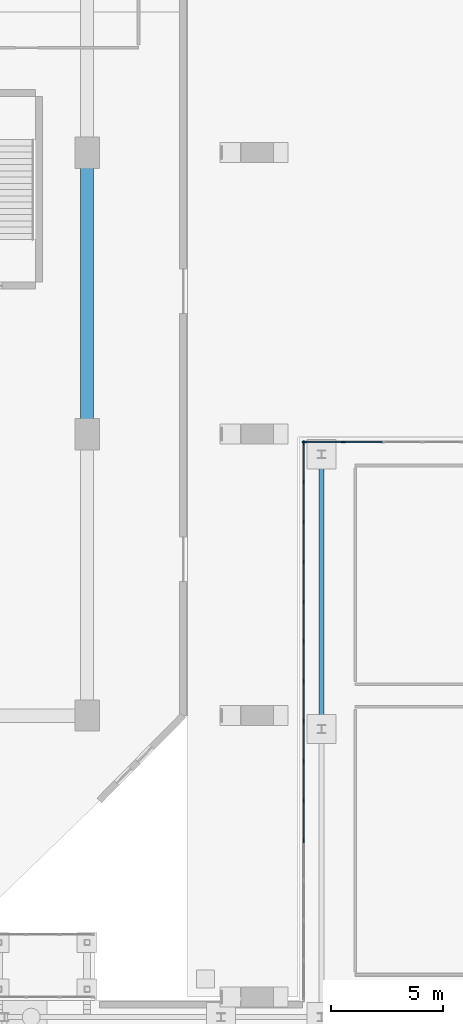
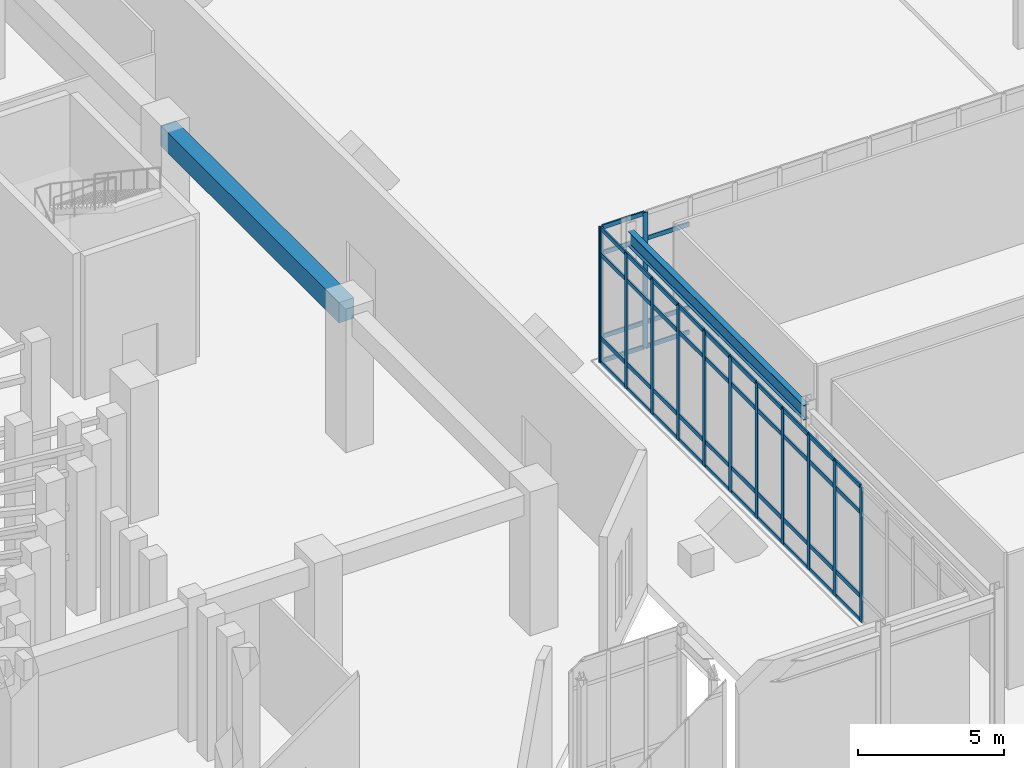
# One storey, part 38 of 143: 60 members, 2 beams, 2 elements without a shape of their own.
"""IFC4 building model written with IfcOpenShell, lengths in metres."""

from ifc_helpers import new_model, si_unit, derived_unit, direction, frame, origin, origin_2d, place, context, subcontext, project, spatial, rectangle, i_section, extrude, material, layer, layer_set, material_profile, profile_set, type_object, element, aggregate, save


model = new_model("IFC4")

# Units and contexts
model_context = context("Model", 3, precision=1e-05, world=origin(), true_north=direction((0.0, 1.0)))
body_context = subcontext(model_context, "Body", "Model", "MODEL_VIEW")
ifc_project = project(units=[si_unit("LENGTHUNIT", "METRE"), si_unit("AREAUNIT", "SQUARE_METRE"), si_unit("VOLUMEUNIT", "CUBIC_METRE"), si_unit("PLANEANGLEUNIT", "RADIAN"), si_unit("MASSUNIT", "GRAM", prefix="KILO"), derived_unit("THERMALTRANSMITTANCEUNIT", [(si_unit("MASSUNIT", "GRAM", prefix="KILO"), 1), (si_unit("TIMEUNIT", "SECOND"), -3), (si_unit("THERMODYNAMICTEMPERATUREUNIT", "KELVIN"), -1)])], contexts=[model_context])

# Site, building, storey
site_placement = place(None, origin())
site = spatial("IfcSite", under=ifc_project, at=site_placement, CompositionType="ELEMENT")
building_placement = place(site_placement, origin())
building = spatial("IfcBuilding", under=site, at=building_placement, Name="Valcora Ridge Arena", CompositionType="ELEMENT")
storey_placement = place(building_placement, origin())
storey = spatial("IfcBuildingStorey", under=building, at=storey_placement, Name="L00", CompositionType="ELEMENT", Elevation=0.0)

# Beams
ifc_material_1 = material(Name="Concrete C40/50", Category="concrete")
ifc_material_profile_1 = material_profile(ifc_material_1, rectangle(XDim=0.60009765625, YDim=0.85009765625, at=origin_2d()), Name="RC 600x850")
ifc_profile_set_1 = profile_set([ifc_material_profile_1], Name="Concrete C40/50")
beam_type_1 = type_object("IfcBeamType", Name="TY-BEAM-B-RC600-Y", PredefinedType="BEAM", material=ifc_profile_set_1)
beam_1_placement = place(storey_placement, frame((102.5, 45.39990234375, 5.215087890625), z_axis=(0.0, 1.0, 0.0), x_axis=(-1.0, 0.0, 0.0)))
element("IfcBeam", 1, at=beam_1_placement, inside=storey, type_object=beam_type_1, Name="B-RC600-Y BEM-B-RC600-Y-0007", PredefinedType="BEAM", context=body_context, shape_type="SweptSolid", body=[
    extrude(rectangle(XDim=0.60009765625, YDim=0.85009765625, at=origin_2d()), origin(), (0.0, 0.0, 1.0), 12.2001953125),
])
ifc_material_2 = material(Name="Steel ASTM A572 Grade 50", Category="steel")
ifc_material_profile_2 = material_profile(ifc_material_2, i_section(OverallWidth=0.22900390625, OverallDepth=0.612060546875, WebThickness=0.011962890625, FlangeThickness=0.01953125, FilletRadius=0.01806640625, at=origin_2d()), Name="W24X84")
ifc_profile_set_2 = profile_set([ifc_material_profile_2], Name="Steel ASTM A572 Grade 50")
beam_type_2 = type_object("IfcBeamType", Name="TY-BEAM-G-W24X84-Y", PredefinedType="BEAM", material=ifc_profile_set_2)
beam_2_placement = place(storey_placement, frame((113.0, 32.139892578125, 5.333984375), z_axis=(0.0, 1.0, 0.0), x_axis=(-1.0, 0.0, 0.0)))
element("IfcBeam", 2, at=beam_2_placement, inside=storey, type_object=beam_type_2, Name="G-W24X84-Y BEM-G-W24X84-Y-0004", PredefinedType="BEAM", context=body_context, shape_type="SweptSolid", body=[
    extrude(i_section(OverallWidth=0.22900390625, OverallDepth=0.612060546875, WebThickness=0.011962890625, FlangeThickness=0.01953125, FilletRadius=0.01806640625, at=origin_2d()), origin(), (0.0, 0.0, 1.0), 12.02001953125),
])

# Curtain wall, members
ifc_material_3 = material(Name="Anodised dark bronze architectural aluminium 6063-T6", Category="aluminium")
ifc_layer_1 = layer(ifc_material_3, 0.179931640625, Name="Anodised dark bronze architectural aluminium 6063-T6")
ifc_layer_set_1 = layer_set([ifc_layer_1], Name="Anodised dark bronze architectural aluminium 6063-T6")
curtain_wall_type_1 = type_object("IfcCurtainWallType", Name="TY-CURTAINWALL-CW-V3-LANCET-194X56", PredefinedType="NOTDEFINED", material=ifc_layer_set_1)
curtain_wall_1_placement = place(storey_placement, origin())
curtain_wall_1 = element("IfcCurtainWall", 3, at=curtain_wall_1_placement, inside=storey, type_object=curtain_wall_type_1, Name="CW-V3-LANCET-194X56 CW-0007", PredefinedType="NOTDEFINED")
ifc_material_profile_3 = material_profile(ifc_material_3, rectangle(XDim=0.06005859375, YDim=0.179931640625, at=origin_2d()), Name="ALU MULLION 60x180")
ifc_profile_set_3 = profile_set([ifc_material_profile_3], Name="Anodised dark bronze architectural aluminium 6063-T6")
member_type_1 = type_object("IfcMemberType", Name="TY-MEM-CWM-60x180", PredefinedType="MULLION", material=ifc_profile_set_3)
member_1_placement = place(storey_placement, frame((112.22998046875, 44.85009765625, 0.0), z_axis=(0.0, 0.0, 1.0), x_axis=(0.0, 1.0, 0.0)))
member_1 = element("IfcMember", 4, at=member_1_placement, type_object=member_type_1, Name="CW-0007/CWM-60x180/M00", PredefinedType="MULLION", context=body_context, shape_type="SweptSolid", body=[
    extrude(rectangle(XDim=0.06005859375, YDim=0.179931640625, at=origin_2d()), origin(), (0.0, 0.0, 1.0), 5.639892578125),
])
member_2_placement = place(storey_placement, frame((113.96826171875, 44.85009765625, 0.0), z_axis=(0.0, 0.0, 1.0), x_axis=(0.0, 1.0, 0.0)))
member_2 = element("IfcMember", 5, at=member_2_placement, type_object=member_type_1, Name="CW-0007/CWM-60x180/M01", PredefinedType="MULLION", context=body_context, shape_type="SweptSolid", body=[
    extrude(rectangle(XDim=0.06005859375, YDim=0.179931640625, at=origin_2d()), origin(), (0.0, 0.0, 1.0), 5.639892578125),
])

ifc_layer_2 = layer(ifc_material_3, 0.179931640625, Name="Anodised dark bronze architectural aluminium 6063-T6")
ifc_layer_set_2 = layer_set([ifc_layer_2], Name="Anodised dark bronze architectural aluminium 6063-T6")
curtain_wall_type_2 = type_object("IfcCurtainWallType", Name="TY-CURTAINWALL-CW-V3-LANCET-250X56", PredefinedType="NOTDEFINED", material=ifc_layer_set_2)
curtain_wall_2_placement = place(storey_placement, origin())
curtain_wall_2 = element("IfcCurtainWall", 6, at=curtain_wall_2_placement, inside=storey, type_object=curtain_wall_type_2, Name="CW-V3-LANCET-250X56 CW-0008", PredefinedType="NOTDEFINED")
member_3_placement = place(storey_placement, frame((112.199951171875, 26.992919921875, 0.0), z_axis=(0.0, 0.0, 1.0), x_axis=(-1.0, 0.0, 0.0)))
member_3 = element("IfcMember", 7, at=member_3_placement, type_object=member_type_1, Name="CW-0008/CWM-60x180/M04", PredefinedType="MULLION", context=body_context, shape_type="SweptSolid", body=[
    extrude(rectangle(XDim=0.06005859375, YDim=0.179931640625, at=origin_2d()), origin(), (0.0, 0.0, 1.0), 5.639892578125),
])
member_4_placement = place(storey_placement, frame((112.199951171875, 28.778564453125, 0.0), z_axis=(0.0, 0.0, 1.0), x_axis=(-1.0, 0.0, 0.0)))
member_4 = element("IfcMember", 8, at=member_4_placement, type_object=member_type_1, Name="CW-0008/CWM-60x180/M05", PredefinedType="MULLION", context=body_context, shape_type="SweptSolid", body=[
    extrude(rectangle(XDim=0.06005859375, YDim=0.179931640625, at=origin_2d()), origin(), (0.0, 0.0, 1.0), 5.639892578125),
])
member_5_placement = place(storey_placement, frame((112.199951171875, 30.564208984375, 0.0), z_axis=(0.0, 0.0, 1.0), x_axis=(-1.0, 0.0, 0.0)))
member_5 = element("IfcMember", 9, at=member_5_placement, type_object=member_type_1, Name="CW-0008/CWM-60x180/M06", PredefinedType="MULLION", context=body_context, shape_type="SweptSolid", body=[
    extrude(rectangle(XDim=0.06005859375, YDim=0.179931640625, at=origin_2d()), origin(), (0.0, 0.0, 1.0), 5.639892578125),
])
member_6_placement = place(storey_placement, frame((112.199951171875, 32.35009765625, 0.0), z_axis=(0.0, 0.0, 1.0), x_axis=(-1.0, 0.0, 0.0)))
member_6 = element("IfcMember", 10, at=member_6_placement, type_object=member_type_1, Name="CW-0008/CWM-60x180/M07", PredefinedType="MULLION", context=body_context, shape_type="SweptSolid", body=[
    extrude(rectangle(XDim=0.06005859375, YDim=0.179931640625, at=origin_2d()), origin(), (0.0, 0.0, 1.0), 5.639892578125),
])
member_7_placement = place(storey_placement, frame((112.199951171875, 34.1357421875, 0.0), z_axis=(0.0, 0.0, 1.0), x_axis=(-1.0, 0.0, 0.0)))
member_7 = element("IfcMember", 11, at=member_7_placement, type_object=member_type_1, Name="CW-0008/CWM-60x180/M08", PredefinedType="MULLION", context=body_context, shape_type="SweptSolid", body=[
    extrude(rectangle(XDim=0.06005859375, YDim=0.179931640625, at=origin_2d()), origin(), (0.0, 0.0, 1.0), 5.639892578125),
])
member_8_placement = place(storey_placement, frame((112.199951171875, 35.92138671875, 0.0), z_axis=(0.0, 0.0, 1.0), x_axis=(-1.0, 0.0, 0.0)))
member_8 = element("IfcMember", 12, at=member_8_placement, type_object=member_type_1, Name="CW-0008/CWM-60x180/M09", PredefinedType="MULLION", context=body_context, shape_type="SweptSolid", body=[
    extrude(rectangle(XDim=0.06005859375, YDim=0.179931640625, at=origin_2d()), origin(), (0.0, 0.0, 1.0), 5.639892578125),
])
member_9_placement = place(storey_placement, frame((112.199951171875, 37.70703125, 0.0), z_axis=(0.0, 0.0, 1.0), x_axis=(-1.0, 0.0, 0.0)))
member_9 = element("IfcMember", 13, at=member_9_placement, type_object=member_type_1, Name="CW-0008/CWM-60x180/M10", PredefinedType="MULLION", context=body_context, shape_type="SweptSolid", body=[
    extrude(rectangle(XDim=0.06005859375, YDim=0.179931640625, at=origin_2d()), origin(), (0.0, 0.0, 1.0), 5.639892578125),
])
member_10_placement = place(storey_placement, frame((112.199951171875, 39.492919921875, 0.0), z_axis=(0.0, 0.0, 1.0), x_axis=(-1.0, 0.0, 0.0)))
member_10 = element("IfcMember", 14, at=member_10_placement, type_object=member_type_1, Name="CW-0008/CWM-60x180/M11", PredefinedType="MULLION", context=body_context, shape_type="SweptSolid", body=[
    extrude(rectangle(XDim=0.06005859375, YDim=0.179931640625, at=origin_2d()), origin(), (0.0, 0.0, 1.0), 5.639892578125),
])
member_11_placement = place(storey_placement, frame((112.199951171875, 41.278564453125, 0.0), z_axis=(0.0, 0.0, 1.0), x_axis=(-1.0, 0.0, 0.0)))
member_11 = element("IfcMember", 15, at=member_11_placement, type_object=member_type_1, Name="CW-0008/CWM-60x180/M12", PredefinedType="MULLION", context=body_context, shape_type="SweptSolid", body=[
    extrude(rectangle(XDim=0.06005859375, YDim=0.179931640625, at=origin_2d()), origin(), (0.0, 0.0, 1.0), 5.639892578125),
])
member_12_placement = place(storey_placement, frame((112.199951171875, 43.064208984375, 0.0), z_axis=(0.0, 0.0, 1.0), x_axis=(-1.0, 0.0, 0.0)))
member_12 = element("IfcMember", 16, at=member_12_placement, type_object=member_type_1, Name="CW-0008/CWM-60x180/M13", PredefinedType="MULLION", context=body_context, shape_type="SweptSolid", body=[
    extrude(rectangle(XDim=0.06005859375, YDim=0.179931640625, at=origin_2d()), origin(), (0.0, 0.0, 1.0), 5.639892578125),
])
member_13_placement = place(storey_placement, frame((112.199951171875, 44.820068359375, 0.0), z_axis=(0.0, 0.0, 1.0), x_axis=(-1.0, 0.0, 0.0)))
member_13 = element("IfcMember", 17, at=member_13_placement, type_object=member_type_1, Name="CW-0008/CWM-60x180/M14", PredefinedType="MULLION", context=body_context, shape_type="SweptSolid", body=[
    extrude(rectangle(XDim=0.06005859375, YDim=0.179931640625, at=origin_2d()), origin(), (0.0, 0.0, 1.0), 5.639892578125),
])

# Member
ifc_material_profile_4 = material_profile(ifc_material_3, rectangle(XDim=0.06005859375, YDim=0.179931640625, at=origin_2d()), Name="ALU TRANSOM 60x180")
ifc_profile_set_4 = profile_set([ifc_material_profile_4], Name="Anodised dark bronze architectural aluminium 6063-T6")
member_type_2 = type_object("IfcMemberType", Name="TY-MEM-CWT-60x180", PredefinedType="USERDEFINED", material=ifc_profile_set_4)
member_14_placement = place(storey_placement, frame((112.260009765625, 44.85009765625, 0.030029296875), z_axis=(1.0, 0.0, 0.0), x_axis=(0.0, 1.0, 0.0)))
member_14 = element("IfcMember", 18, at=member_14_placement, type_object=member_type_2, Name="CW-0007/CWT-60x180/T00-00", ObjectType="TRANSOM", PredefinedType="USERDEFINED", context=body_context, shape_type="SweptSolid", body=[
    extrude(rectangle(XDim=0.06005859375, YDim=0.179931640625, at=origin_2d()), origin(), (0.0, 0.0, 1.0), 1.677978515625),
])

member_15_placement = place(storey_placement, frame((112.260009765625, 44.85009765625, 1.050048828125), z_axis=(1.0, 0.0, 0.0), x_axis=(0.0, 1.0, 0.0)))
member_15 = element("IfcMember", 19, at=member_15_placement, type_object=member_type_2, Name="CW-0007/CWT-60x180/T00-01", ObjectType="TRANSOM", PredefinedType="USERDEFINED", context=body_context, shape_type="SweptSolid", body=[
    extrude(rectangle(XDim=0.06005859375, YDim=0.179931640625, at=origin_2d()), origin(), (0.0, 0.0, 1.0), 1.677978515625),
])

member_16_placement = place(storey_placement, frame((112.260009765625, 44.85009765625, 4.5400390625), z_axis=(1.0, 0.0, 0.0), x_axis=(0.0, 1.0, 0.0)))
member_16 = element("IfcMember", 20, at=member_16_placement, type_object=member_type_2, Name="CW-0007/CWT-60x180/T00-02", ObjectType="TRANSOM", PredefinedType="USERDEFINED", context=body_context, shape_type="SweptSolid", body=[
    extrude(rectangle(XDim=0.06005859375, YDim=0.179931640625, at=origin_2d()), origin(), (0.0, 0.0, 1.0), 1.677978515625),
])

member_17_placement = place(storey_placement, frame((112.260009765625, 44.85009765625, 5.610107421875), z_axis=(1.0, 0.0, 0.0), x_axis=(0.0, 1.0, 0.0)))
member_17 = element("IfcMember", 21, at=member_17_placement, type_object=member_type_2, Name="CW-0007/CWT-60x180/T00-03", ObjectType="TRANSOM", PredefinedType="USERDEFINED", context=body_context, shape_type="SweptSolid", body=[
    extrude(rectangle(XDim=0.06005859375, YDim=0.179931640625, at=origin_2d()), origin(), (0.0, 0.0, 1.0), 1.677978515625),
])

member_18_placement = place(storey_placement, frame((113.998046875, 44.85009765625, 0.030029296875), z_axis=(1.0, 0.0, 0.0), x_axis=(0.0, 1.0, 0.0)))
member_18 = element("IfcMember", 22, at=member_18_placement, type_object=member_type_2, Name="CW-0007/CWT-60x180/T01-00", ObjectType="TRANSOM", PredefinedType="USERDEFINED", context=body_context, shape_type="SweptSolid", body=[
    extrude(rectangle(XDim=0.06005859375, YDim=0.179931640625, at=origin_2d()), origin(), (0.0, 0.0, 1.0), 1.7080078125),
])

member_19_placement = place(storey_placement, frame((113.998046875, 44.85009765625, 1.050048828125), z_axis=(1.0, 0.0, 0.0), x_axis=(0.0, 1.0, 0.0)))
member_19 = element("IfcMember", 23, at=member_19_placement, type_object=member_type_2, Name="CW-0007/CWT-60x180/T01-01", ObjectType="TRANSOM", PredefinedType="USERDEFINED", context=body_context, shape_type="SweptSolid", body=[
    extrude(rectangle(XDim=0.06005859375, YDim=0.179931640625, at=origin_2d()), origin(), (0.0, 0.0, 1.0), 1.7080078125),
])

member_20_placement = place(storey_placement, frame((113.998046875, 44.85009765625, 4.5400390625), z_axis=(1.0, 0.0, 0.0), x_axis=(0.0, 1.0, 0.0)))
member_20 = element("IfcMember", 24, at=member_20_placement, type_object=member_type_2, Name="CW-0007/CWT-60x180/T01-02", ObjectType="TRANSOM", PredefinedType="USERDEFINED", context=body_context, shape_type="SweptSolid", body=[
    extrude(rectangle(XDim=0.06005859375, YDim=0.179931640625, at=origin_2d()), origin(), (0.0, 0.0, 1.0), 1.7080078125),
])

aggregate(curtain_wall_1, [member_1, member_2, member_14, member_15, member_16, member_17, member_18, member_19, member_20])

member_21_placement = place(storey_placement, frame((112.199951171875, 27.02294921875, 0.030029296875), z_axis=(0.0, 1.0, 0.0), x_axis=(-1.0, 0.0, 0.0)))
member_21 = element("IfcMember", 25, at=member_21_placement, type_object=member_type_2, Name="CW-0008/CWT-60x180/T04-00", ObjectType="TRANSOM", PredefinedType="USERDEFINED", context=body_context, shape_type="SweptSolid", body=[
    extrude(rectangle(XDim=0.06005859375, YDim=0.179931640625, at=origin_2d()), origin(), (0.0, 0.0, 1.0), 1.72607421875),
])

member_22_placement = place(storey_placement, frame((112.199951171875, 27.02294921875, 1.050048828125), z_axis=(0.0, 1.0, 0.0), x_axis=(-1.0, 0.0, 0.0)))
member_22 = element("IfcMember", 26, at=member_22_placement, type_object=member_type_2, Name="CW-0008/CWT-60x180/T04-01", ObjectType="TRANSOM", PredefinedType="USERDEFINED", context=body_context, shape_type="SweptSolid", body=[
    extrude(rectangle(XDim=0.06005859375, YDim=0.179931640625, at=origin_2d()), origin(), (0.0, 0.0, 1.0), 1.72607421875),
])

member_23_placement = place(storey_placement, frame((112.199951171875, 27.02294921875, 4.5400390625), z_axis=(0.0, 1.0, 0.0), x_axis=(-1.0, 0.0, 0.0)))
member_23 = element("IfcMember", 27, at=member_23_placement, type_object=member_type_2, Name="CW-0008/CWT-60x180/T04-02", ObjectType="TRANSOM", PredefinedType="USERDEFINED", context=body_context, shape_type="SweptSolid", body=[
    extrude(rectangle(XDim=0.06005859375, YDim=0.179931640625, at=origin_2d()), origin(), (0.0, 0.0, 1.0), 1.72607421875),
])

member_24_placement = place(storey_placement, frame((112.199951171875, 27.02294921875, 5.610107421875), z_axis=(0.0, 1.0, 0.0), x_axis=(-1.0, 0.0, 0.0)))
member_24 = element("IfcMember", 28, at=member_24_placement, type_object=member_type_2, Name="CW-0008/CWT-60x180/T04-03", ObjectType="TRANSOM", PredefinedType="USERDEFINED", context=body_context, shape_type="SweptSolid", body=[
    extrude(rectangle(XDim=0.06005859375, YDim=0.179931640625, at=origin_2d()), origin(), (0.0, 0.0, 1.0), 1.72607421875),
])

member_25_placement = place(storey_placement, frame((112.199951171875, 28.80908203125, 0.030029296875), z_axis=(0.0, 1.0, 0.0), x_axis=(-1.0, 0.0, 0.0)))
member_25 = element("IfcMember", 29, at=member_25_placement, type_object=member_type_2, Name="CW-0008/CWT-60x180/T05-00", ObjectType="TRANSOM", PredefinedType="USERDEFINED", context=body_context, shape_type="SweptSolid", body=[
    extrude(rectangle(XDim=0.06005859375, YDim=0.179931640625, at=origin_2d()), origin(), (0.0, 0.0, 1.0), 1.724853515625),
])

member_26_placement = place(storey_placement, frame((112.199951171875, 28.80908203125, 1.050048828125), z_axis=(0.0, 1.0, 0.0), x_axis=(-1.0, 0.0, 0.0)))
member_26 = element("IfcMember", 30, at=member_26_placement, type_object=member_type_2, Name="CW-0008/CWT-60x180/T05-01", ObjectType="TRANSOM", PredefinedType="USERDEFINED", context=body_context, shape_type="SweptSolid", body=[
    extrude(rectangle(XDim=0.06005859375, YDim=0.179931640625, at=origin_2d()), origin(), (0.0, 0.0, 1.0), 1.724853515625),
])

member_27_placement = place(storey_placement, frame((112.199951171875, 28.80908203125, 4.5400390625), z_axis=(0.0, 1.0, 0.0), x_axis=(-1.0, 0.0, 0.0)))
member_27 = element("IfcMember", 31, at=member_27_placement, type_object=member_type_2, Name="CW-0008/CWT-60x180/T05-02", ObjectType="TRANSOM", PredefinedType="USERDEFINED", context=body_context, shape_type="SweptSolid", body=[
    extrude(rectangle(XDim=0.06005859375, YDim=0.179931640625, at=origin_2d()), origin(), (0.0, 0.0, 1.0), 1.724853515625),
])

member_28_placement = place(storey_placement, frame((112.199951171875, 28.80908203125, 5.610107421875), z_axis=(0.0, 1.0, 0.0), x_axis=(-1.0, 0.0, 0.0)))
member_28 = element("IfcMember", 32, at=member_28_placement, type_object=member_type_2, Name="CW-0008/CWT-60x180/T05-03", ObjectType="TRANSOM", PredefinedType="USERDEFINED", context=body_context, shape_type="SweptSolid", body=[
    extrude(rectangle(XDim=0.06005859375, YDim=0.179931640625, at=origin_2d()), origin(), (0.0, 0.0, 1.0), 1.724853515625),
])

member_29_placement = place(storey_placement, frame((112.199951171875, 30.593994140625, 0.030029296875), z_axis=(0.0, 1.0, 0.0), x_axis=(-1.0, 0.0, 0.0)))
member_29 = element("IfcMember", 33, at=member_29_placement, type_object=member_type_2, Name="CW-0008/CWT-60x180/T06-00", ObjectType="TRANSOM", PredefinedType="USERDEFINED", context=body_context, shape_type="SweptSolid", body=[
    extrude(rectangle(XDim=0.06005859375, YDim=0.179931640625, at=origin_2d()), origin(), (0.0, 0.0, 1.0), 1.72607421875),
])

member_30_placement = place(storey_placement, frame((112.199951171875, 30.593994140625, 1.050048828125), z_axis=(0.0, 1.0, 0.0), x_axis=(-1.0, 0.0, 0.0)))
member_30 = element("IfcMember", 34, at=member_30_placement, type_object=member_type_2, Name="CW-0008/CWT-60x180/T06-01", ObjectType="TRANSOM", PredefinedType="USERDEFINED", context=body_context, shape_type="SweptSolid", body=[
    extrude(rectangle(XDim=0.06005859375, YDim=0.179931640625, at=origin_2d()), origin(), (0.0, 0.0, 1.0), 1.72607421875),
])

member_31_placement = place(storey_placement, frame((112.199951171875, 30.593994140625, 4.5400390625), z_axis=(0.0, 1.0, 0.0), x_axis=(-1.0, 0.0, 0.0)))
member_31 = element("IfcMember", 35, at=member_31_placement, type_object=member_type_2, Name="CW-0008/CWT-60x180/T06-02", ObjectType="TRANSOM", PredefinedType="USERDEFINED", context=body_context, shape_type="SweptSolid", body=[
    extrude(rectangle(XDim=0.06005859375, YDim=0.179931640625, at=origin_2d()), origin(), (0.0, 0.0, 1.0), 1.72607421875),
])

member_32_placement = place(storey_placement, frame((112.199951171875, 30.593994140625, 5.610107421875), z_axis=(0.0, 1.0, 0.0), x_axis=(-1.0, 0.0, 0.0)))
member_32 = element("IfcMember", 36, at=member_32_placement, type_object=member_type_2, Name="CW-0008/CWT-60x180/T06-03", ObjectType="TRANSOM", PredefinedType="USERDEFINED", context=body_context, shape_type="SweptSolid", body=[
    extrude(rectangle(XDim=0.06005859375, YDim=0.179931640625, at=origin_2d()), origin(), (0.0, 0.0, 1.0), 1.72607421875),
])

member_33_placement = place(storey_placement, frame((112.199951171875, 32.3798828125, 0.030029296875), z_axis=(0.0, 1.0, 0.0), x_axis=(-1.0, 0.0, 0.0)))
member_33 = element("IfcMember", 37, at=member_33_placement, type_object=member_type_2, Name="CW-0008/CWT-60x180/T07-00", ObjectType="TRANSOM", PredefinedType="USERDEFINED", context=body_context, shape_type="SweptSolid", body=[
    extrude(rectangle(XDim=0.06005859375, YDim=0.179931640625, at=origin_2d()), origin(), (0.0, 0.0, 1.0), 1.72607421875),
])

member_34_placement = place(storey_placement, frame((112.199951171875, 32.3798828125, 1.050048828125), z_axis=(0.0, 1.0, 0.0), x_axis=(-1.0, 0.0, 0.0)))
member_34 = element("IfcMember", 38, at=member_34_placement, type_object=member_type_2, Name="CW-0008/CWT-60x180/T07-01", ObjectType="TRANSOM", PredefinedType="USERDEFINED", context=body_context, shape_type="SweptSolid", body=[
    extrude(rectangle(XDim=0.06005859375, YDim=0.179931640625, at=origin_2d()), origin(), (0.0, 0.0, 1.0), 1.72607421875),
])

member_35_placement = place(storey_placement, frame((112.199951171875, 32.3798828125, 4.5400390625), z_axis=(0.0, 1.0, 0.0), x_axis=(-1.0, 0.0, 0.0)))
member_35 = element("IfcMember", 39, at=member_35_placement, type_object=member_type_2, Name="CW-0008/CWT-60x180/T07-02", ObjectType="TRANSOM", PredefinedType="USERDEFINED", context=body_context, shape_type="SweptSolid", body=[
    extrude(rectangle(XDim=0.06005859375, YDim=0.179931640625, at=origin_2d()), origin(), (0.0, 0.0, 1.0), 1.72607421875),
])

member_36_placement = place(storey_placement, frame((112.199951171875, 32.3798828125, 5.610107421875), z_axis=(0.0, 1.0, 0.0), x_axis=(-1.0, 0.0, 0.0)))
member_36 = element("IfcMember", 40, at=member_36_placement, type_object=member_type_2, Name="CW-0008/CWT-60x180/T07-03", ObjectType="TRANSOM", PredefinedType="USERDEFINED", context=body_context, shape_type="SweptSolid", body=[
    extrude(rectangle(XDim=0.06005859375, YDim=0.179931640625, at=origin_2d()), origin(), (0.0, 0.0, 1.0), 1.72607421875),
])

member_37_placement = place(storey_placement, frame((112.199951171875, 34.166015625, 0.030029296875), z_axis=(0.0, 1.0, 0.0), x_axis=(-1.0, 0.0, 0.0)))
member_37 = element("IfcMember", 41, at=member_37_placement, type_object=member_type_2, Name="CW-0008/CWT-60x180/T08-00", ObjectType="TRANSOM", PredefinedType="USERDEFINED", context=body_context, shape_type="SweptSolid", body=[
    extrude(rectangle(XDim=0.06005859375, YDim=0.179931640625, at=origin_2d()), origin(), (0.0, 0.0, 1.0), 1.72509765625),
])

member_38_placement = place(storey_placement, frame((112.199951171875, 34.166015625, 1.050048828125), z_axis=(0.0, 1.0, 0.0), x_axis=(-1.0, 0.0, 0.0)))
member_38 = element("IfcMember", 42, at=member_38_placement, type_object=member_type_2, Name="CW-0008/CWT-60x180/T08-01", ObjectType="TRANSOM", PredefinedType="USERDEFINED", context=body_context, shape_type="SweptSolid", body=[
    extrude(rectangle(XDim=0.06005859375, YDim=0.179931640625, at=origin_2d()), origin(), (0.0, 0.0, 1.0), 1.72509765625),
])

member_39_placement = place(storey_placement, frame((112.199951171875, 34.166015625, 4.5400390625), z_axis=(0.0, 1.0, 0.0), x_axis=(-1.0, 0.0, 0.0)))
member_39 = element("IfcMember", 43, at=member_39_placement, type_object=member_type_2, Name="CW-0008/CWT-60x180/T08-02", ObjectType="TRANSOM", PredefinedType="USERDEFINED", context=body_context, shape_type="SweptSolid", body=[
    extrude(rectangle(XDim=0.06005859375, YDim=0.179931640625, at=origin_2d()), origin(), (0.0, 0.0, 1.0), 1.72509765625),
])

member_40_placement = place(storey_placement, frame((112.199951171875, 34.166015625, 5.610107421875), z_axis=(0.0, 1.0, 0.0), x_axis=(-1.0, 0.0, 0.0)))
member_40 = element("IfcMember", 44, at=member_40_placement, type_object=member_type_2, Name="CW-0008/CWT-60x180/T08-03", ObjectType="TRANSOM", PredefinedType="USERDEFINED", context=body_context, shape_type="SweptSolid", body=[
    extrude(rectangle(XDim=0.06005859375, YDim=0.179931640625, at=origin_2d()), origin(), (0.0, 0.0, 1.0), 1.72509765625),
])

member_41_placement = place(storey_placement, frame((112.199951171875, 35.950927734375, 0.030029296875), z_axis=(0.0, 1.0, 0.0), x_axis=(-1.0, 0.0, 0.0)))
member_41 = element("IfcMember", 45, at=member_41_placement, type_object=member_type_2, Name="CW-0008/CWT-60x180/T09-00", ObjectType="TRANSOM", PredefinedType="USERDEFINED", context=body_context, shape_type="SweptSolid", body=[
    extrude(rectangle(XDim=0.06005859375, YDim=0.179931640625, at=origin_2d()), origin(), (0.0, 0.0, 1.0), 1.72607421875),
])

member_42_placement = place(storey_placement, frame((112.199951171875, 35.950927734375, 1.050048828125), z_axis=(0.0, 1.0, 0.0), x_axis=(-1.0, 0.0, 0.0)))
member_42 = element("IfcMember", 46, at=member_42_placement, type_object=member_type_2, Name="CW-0008/CWT-60x180/T09-01", ObjectType="TRANSOM", PredefinedType="USERDEFINED", context=body_context, shape_type="SweptSolid", body=[
    extrude(rectangle(XDim=0.06005859375, YDim=0.179931640625, at=origin_2d()), origin(), (0.0, 0.0, 1.0), 1.72607421875),
])

member_43_placement = place(storey_placement, frame((112.199951171875, 35.950927734375, 4.5400390625), z_axis=(0.0, 1.0, 0.0), x_axis=(-1.0, 0.0, 0.0)))
member_43 = element("IfcMember", 47, at=member_43_placement, type_object=member_type_2, Name="CW-0008/CWT-60x180/T09-02", ObjectType="TRANSOM", PredefinedType="USERDEFINED", context=body_context, shape_type="SweptSolid", body=[
    extrude(rectangle(XDim=0.06005859375, YDim=0.179931640625, at=origin_2d()), origin(), (0.0, 0.0, 1.0), 1.72607421875),
])

member_44_placement = place(storey_placement, frame((112.199951171875, 35.950927734375, 5.610107421875), z_axis=(0.0, 1.0, 0.0), x_axis=(-1.0, 0.0, 0.0)))
member_44 = element("IfcMember", 48, at=member_44_placement, type_object=member_type_2, Name="CW-0008/CWT-60x180/T09-03", ObjectType="TRANSOM", PredefinedType="USERDEFINED", context=body_context, shape_type="SweptSolid", body=[
    extrude(rectangle(XDim=0.06005859375, YDim=0.179931640625, at=origin_2d()), origin(), (0.0, 0.0, 1.0), 1.72607421875),
])

member_45_placement = place(storey_placement, frame((112.199951171875, 37.737060546875, 0.030029296875), z_axis=(0.0, 1.0, 0.0), x_axis=(-1.0, 0.0, 0.0)))
member_45 = element("IfcMember", 49, at=member_45_placement, type_object=member_type_2, Name="CW-0008/CWT-60x180/T10-00", ObjectType="TRANSOM", PredefinedType="USERDEFINED", context=body_context, shape_type="SweptSolid", body=[
    extrude(rectangle(XDim=0.06005859375, YDim=0.179931640625, at=origin_2d()), origin(), (0.0, 0.0, 1.0), 1.725830078125),
])

member_46_placement = place(storey_placement, frame((112.199951171875, 37.737060546875, 1.050048828125), z_axis=(0.0, 1.0, 0.0), x_axis=(-1.0, 0.0, 0.0)))
member_46 = element("IfcMember", 50, at=member_46_placement, type_object=member_type_2, Name="CW-0008/CWT-60x180/T10-01", ObjectType="TRANSOM", PredefinedType="USERDEFINED", context=body_context, shape_type="SweptSolid", body=[
    extrude(rectangle(XDim=0.06005859375, YDim=0.179931640625, at=origin_2d()), origin(), (0.0, 0.0, 1.0), 1.725830078125),
])

member_47_placement = place(storey_placement, frame((112.199951171875, 37.737060546875, 4.5400390625), z_axis=(0.0, 1.0, 0.0), x_axis=(-1.0, 0.0, 0.0)))
member_47 = element("IfcMember", 51, at=member_47_placement, type_object=member_type_2, Name="CW-0008/CWT-60x180/T10-02", ObjectType="TRANSOM", PredefinedType="USERDEFINED", context=body_context, shape_type="SweptSolid", body=[
    extrude(rectangle(XDim=0.06005859375, YDim=0.179931640625, at=origin_2d()), origin(), (0.0, 0.0, 1.0), 1.725830078125),
])

member_48_placement = place(storey_placement, frame((112.199951171875, 37.737060546875, 5.610107421875), z_axis=(0.0, 1.0, 0.0), x_axis=(-1.0, 0.0, 0.0)))
member_48 = element("IfcMember", 52, at=member_48_placement, type_object=member_type_2, Name="CW-0008/CWT-60x180/T10-03", ObjectType="TRANSOM", PredefinedType="USERDEFINED", context=body_context, shape_type="SweptSolid", body=[
    extrude(rectangle(XDim=0.06005859375, YDim=0.179931640625, at=origin_2d()), origin(), (0.0, 0.0, 1.0), 1.725830078125),
])

member_49_placement = place(storey_placement, frame((112.199951171875, 39.52294921875, 0.030029296875), z_axis=(0.0, 1.0, 0.0), x_axis=(-1.0, 0.0, 0.0)))
member_49 = element("IfcMember", 53, at=member_49_placement, type_object=member_type_2, Name="CW-0008/CWT-60x180/T11-00", ObjectType="TRANSOM", PredefinedType="USERDEFINED", context=body_context, shape_type="SweptSolid", body=[
    extrude(rectangle(XDim=0.06005859375, YDim=0.179931640625, at=origin_2d()), origin(), (0.0, 0.0, 1.0), 1.72607421875),
])

member_50_placement = place(storey_placement, frame((112.199951171875, 39.52294921875, 1.050048828125), z_axis=(0.0, 1.0, 0.0), x_axis=(-1.0, 0.0, 0.0)))
member_50 = element("IfcMember", 54, at=member_50_placement, type_object=member_type_2, Name="CW-0008/CWT-60x180/T11-01", ObjectType="TRANSOM", PredefinedType="USERDEFINED", context=body_context, shape_type="SweptSolid", body=[
    extrude(rectangle(XDim=0.06005859375, YDim=0.179931640625, at=origin_2d()), origin(), (0.0, 0.0, 1.0), 1.72607421875),
])

member_51_placement = place(storey_placement, frame((112.199951171875, 39.52294921875, 4.5400390625), z_axis=(0.0, 1.0, 0.0), x_axis=(-1.0, 0.0, 0.0)))
member_51 = element("IfcMember", 55, at=member_51_placement, type_object=member_type_2, Name="CW-0008/CWT-60x180/T11-02", ObjectType="TRANSOM", PredefinedType="USERDEFINED", context=body_context, shape_type="SweptSolid", body=[
    extrude(rectangle(XDim=0.06005859375, YDim=0.179931640625, at=origin_2d()), origin(), (0.0, 0.0, 1.0), 1.72607421875),
])

member_52_placement = place(storey_placement, frame((112.199951171875, 39.52294921875, 5.610107421875), z_axis=(0.0, 1.0, 0.0), x_axis=(-1.0, 0.0, 0.0)))
member_52 = element("IfcMember", 56, at=member_52_placement, type_object=member_type_2, Name="CW-0008/CWT-60x180/T11-03", ObjectType="TRANSOM", PredefinedType="USERDEFINED", context=body_context, shape_type="SweptSolid", body=[
    extrude(rectangle(XDim=0.06005859375, YDim=0.179931640625, at=origin_2d()), origin(), (0.0, 0.0, 1.0), 1.72607421875),
])

member_53_placement = place(storey_placement, frame((112.199951171875, 41.30908203125, 0.030029296875), z_axis=(0.0, 1.0, 0.0), x_axis=(-1.0, 0.0, 0.0)))
member_53 = element("IfcMember", 57, at=member_53_placement, type_object=member_type_2, Name="CW-0008/CWT-60x180/T12-00", ObjectType="TRANSOM", PredefinedType="USERDEFINED", context=body_context, shape_type="SweptSolid", body=[
    extrude(rectangle(XDim=0.06005859375, YDim=0.179931640625, at=origin_2d()), origin(), (0.0, 0.0, 1.0), 1.724853515625),
])

member_54_placement = place(storey_placement, frame((112.199951171875, 41.30908203125, 1.050048828125), z_axis=(0.0, 1.0, 0.0), x_axis=(-1.0, 0.0, 0.0)))
member_54 = element("IfcMember", 58, at=member_54_placement, type_object=member_type_2, Name="CW-0008/CWT-60x180/T12-01", ObjectType="TRANSOM", PredefinedType="USERDEFINED", context=body_context, shape_type="SweptSolid", body=[
    extrude(rectangle(XDim=0.06005859375, YDim=0.179931640625, at=origin_2d()), origin(), (0.0, 0.0, 1.0), 1.724853515625),
])

member_55_placement = place(storey_placement, frame((112.199951171875, 41.30908203125, 4.5400390625), z_axis=(0.0, 1.0, 0.0), x_axis=(-1.0, 0.0, 0.0)))
member_55 = element("IfcMember", 59, at=member_55_placement, type_object=member_type_2, Name="CW-0008/CWT-60x180/T12-02", ObjectType="TRANSOM", PredefinedType="USERDEFINED", context=body_context, shape_type="SweptSolid", body=[
    extrude(rectangle(XDim=0.06005859375, YDim=0.179931640625, at=origin_2d()), origin(), (0.0, 0.0, 1.0), 1.724853515625),
])

member_56_placement = place(storey_placement, frame((112.199951171875, 41.30908203125, 5.610107421875), z_axis=(0.0, 1.0, 0.0), x_axis=(-1.0, 0.0, 0.0)))
member_56 = element("IfcMember", 60, at=member_56_placement, type_object=member_type_2, Name="CW-0008/CWT-60x180/T12-03", ObjectType="TRANSOM", PredefinedType="USERDEFINED", context=body_context, shape_type="SweptSolid", body=[
    extrude(rectangle(XDim=0.06005859375, YDim=0.179931640625, at=origin_2d()), origin(), (0.0, 0.0, 1.0), 1.724853515625),
])

member_57_placement = place(storey_placement, frame((112.199951171875, 43.093994140625, 0.030029296875), z_axis=(0.0, 1.0, 0.0), x_axis=(-1.0, 0.0, 0.0)))
member_57 = element("IfcMember", 61, at=member_57_placement, type_object=member_type_2, Name="CW-0008/CWT-60x180/T13-00", ObjectType="TRANSOM", PredefinedType="USERDEFINED", context=body_context, shape_type="SweptSolid", body=[
    extrude(rectangle(XDim=0.06005859375, YDim=0.179931640625, at=origin_2d()), origin(), (0.0, 0.0, 1.0), 1.696044921875),
])

member_58_placement = place(storey_placement, frame((112.199951171875, 43.093994140625, 1.050048828125), z_axis=(0.0, 1.0, 0.0), x_axis=(-1.0, 0.0, 0.0)))
member_58 = element("IfcMember", 62, at=member_58_placement, type_object=member_type_2, Name="CW-0008/CWT-60x180/T13-01", ObjectType="TRANSOM", PredefinedType="USERDEFINED", context=body_context, shape_type="SweptSolid", body=[
    extrude(rectangle(XDim=0.06005859375, YDim=0.179931640625, at=origin_2d()), origin(), (0.0, 0.0, 1.0), 1.696044921875),
])

member_59_placement = place(storey_placement, frame((112.199951171875, 43.093994140625, 4.5400390625), z_axis=(0.0, 1.0, 0.0), x_axis=(-1.0, 0.0, 0.0)))
member_59 = element("IfcMember", 63, at=member_59_placement, type_object=member_type_2, Name="CW-0008/CWT-60x180/T13-02", ObjectType="TRANSOM", PredefinedType="USERDEFINED", context=body_context, shape_type="SweptSolid", body=[
    extrude(rectangle(XDim=0.06005859375, YDim=0.179931640625, at=origin_2d()), origin(), (0.0, 0.0, 1.0), 1.696044921875),
])

member_60_placement = place(storey_placement, frame((112.199951171875, 43.093994140625, 5.610107421875), z_axis=(0.0, 1.0, 0.0), x_axis=(-1.0, 0.0, 0.0)))
member_60 = element("IfcMember", 64, at=member_60_placement, type_object=member_type_2, Name="CW-0008/CWT-60x180/T13-03", ObjectType="TRANSOM", PredefinedType="USERDEFINED", context=body_context, shape_type="SweptSolid", body=[
    extrude(rectangle(XDim=0.06005859375, YDim=0.179931640625, at=origin_2d()), origin(), (0.0, 0.0, 1.0), 1.696044921875),
])

aggregate(curtain_wall_2, [member_3, member_4, member_5, member_6, member_7, member_8, member_9, member_10, member_11, member_12, member_13, member_21, member_22, member_23, member_24, member_25, member_26, member_27, member_28, member_29, member_30, member_31, member_32, member_33, member_34, member_35, member_36, member_37, member_38, member_39, member_40, member_41, member_42, member_43, member_44, member_45, member_46, member_47, member_48, member_49, member_50, member_51, member_52, member_53, member_54, member_55, member_56, member_57, member_58, member_59, member_60])

save(model, "model.ifc")
